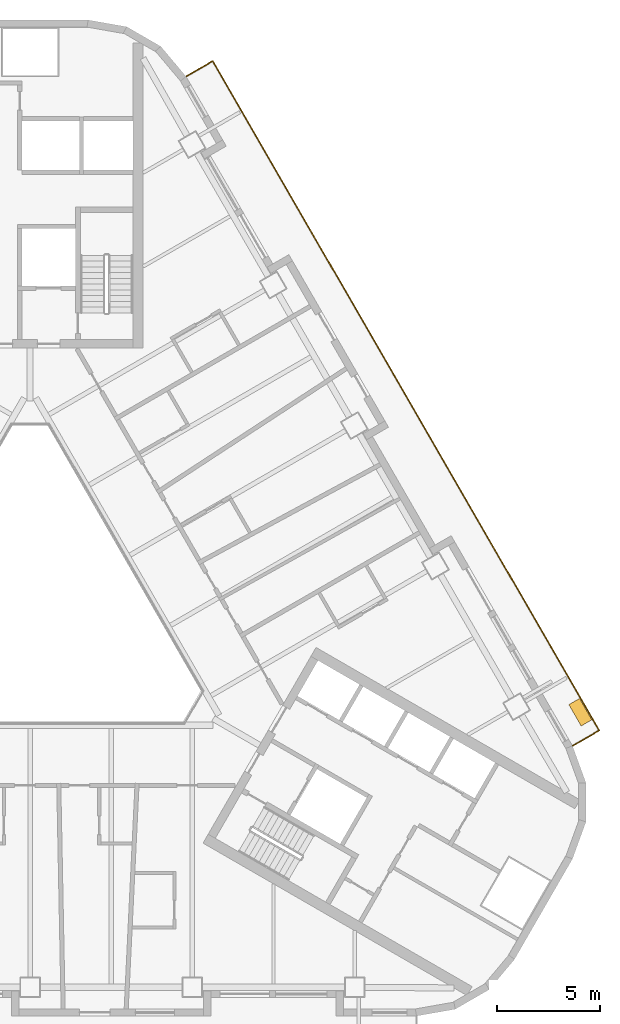
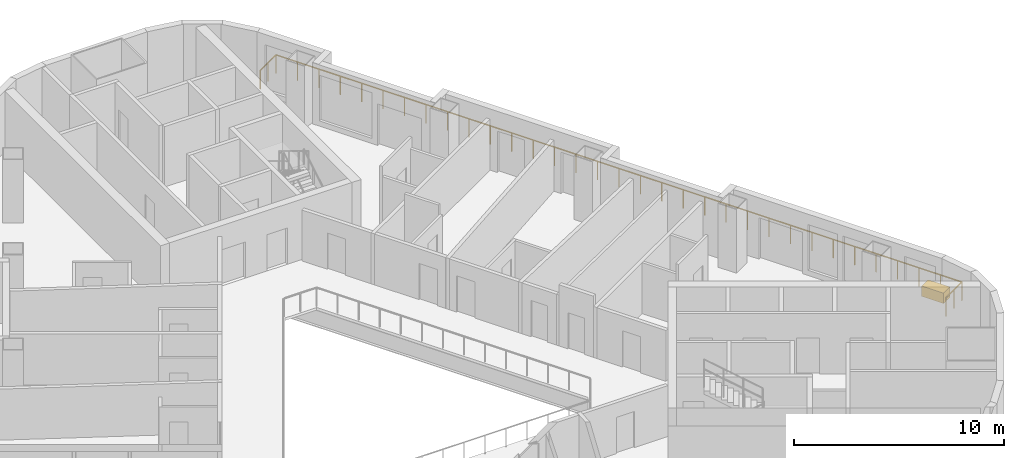
# One storey, part 13 of 14: 1 covering, 1 railing.
"""IFC4 building model written with IfcOpenShell, lengths in metres."""

from ifc_helpers import new_model, si_unit, direction, frame, origin, origin_2d, place, context, subcontext, project, spatial, rectangle, extrude, material, type_object, element, save


model = new_model("IFC4")

# Units and contexts
model_context = context("Model", 3, precision=1e-05, world=origin(), true_north=direction((0.0, 1.0)))
body_context = subcontext(model_context, "Body", "Model", "MODEL_VIEW")
ifc_project = project(units=[si_unit("LENGTHUNIT", "METRE"), si_unit("AREAUNIT", "SQUARE_METRE"), si_unit("VOLUMEUNIT", "CUBIC_METRE"), si_unit("PLANEANGLEUNIT", "RADIAN"), si_unit("MASSUNIT", "GRAM", prefix="KILO")], contexts=[model_context])

# Site, building, storey
site_placement = place(None, origin())
site = spatial("IfcSite", under=ifc_project, at=site_placement, CompositionType="ELEMENT")
building_placement = place(site_placement, origin())
building = spatial("IfcBuilding", under=site, at=building_placement, Name="Apuvela Tower Hotel", CompositionType="ELEMENT")
storey_placement = place(building_placement, frame((0.0, 0.0, 50.199951171875)))
storey = spatial("IfcBuildingStorey", under=building, at=storey_placement, Name="L09", CompositionType="ELEMENT", Elevation=50.199951171875)

# Railing
ifc_material_1 = material(Name="Stainless steel 316 rail with laminated glass infill", Category="steel")
railing_type = type_object("IfcRailingType", Name="ENV-GUARD-1100", PredefinedType="GUARDRAIL", material=ifc_material_1)
railing_placement = place(storey_placement, frame((26.407958984375, -6.47998046875, 0.0)))
element("IfcRailing", 1, at=railing_placement, inside=storey, type_object=railing_type, Name="Balcony guard NE L09", PredefinedType="GUARDRAIL", context=body_context, shape_type="SweptSolid", body=[
    extrude(rectangle(XDim=0.050048828125, YDim=0.050048828125, at=origin_2d()), frame((0.0, 0.0, 1.0751953125), z_axis=(0.866031096941, 0.499990139034, 0.0), x_axis=(-0.499990139034, 0.866031096941, 0.0)), (0.0, 0.0, 1.0), 1.5),
    extrude(rectangle(XDim=0.050048828125, YDim=0.050048828125, at=origin_2d()), frame((1.299072265625, 0.75, 1.0751953125), z_axis=(-0.500000437506, 0.86602515119, 0.0), x_axis=(-0.86602515119, -0.500000437506, 0.0)), (0.0, 0.0, 1.0), 37.6318359375),
    extrude(rectangle(XDim=0.050048828125, YDim=0.050048828125, at=origin_2d()), frame((-17.516845703125, 33.340087890625, 1.0751953125), z_axis=(-0.86599040064, -0.500060622324, 0.0), x_axis=(0.500060622324, -0.86599040064, 0.0)), (0.0, 0.0, 1.0), 1.499755859375),
    extrude(rectangle(XDim=0.0400390625, YDim=0.0400390625, at=origin_2d()), origin(), (0.0, 0.0, 1.0), 1.050048828125),
    extrude(rectangle(XDim=0.0400390625, YDim=0.0400390625, at=origin_2d()), frame((0.6494140625, 0.375, 0.0)), (0.0, 0.0, 1.0), 1.050048828125),
    extrude(rectangle(XDim=0.0400390625, YDim=0.0400390625, at=origin_2d()), frame((1.299072265625, 0.75, 0.0)), (0.0, 0.0, 1.0), 1.050048828125),
    extrude(rectangle(XDim=0.0400390625, YDim=0.0400390625, at=origin_2d()), frame((0.711181640625, 1.7685546875, 0.0)), (0.0, 0.0, 1.0), 1.050048828125),
    extrude(rectangle(XDim=0.0400390625, YDim=0.0400390625, at=origin_2d()), frame((0.123046875, 2.786865234375, 0.0)), (0.0, 0.0, 1.0), 1.050048828125),
    extrude(rectangle(XDim=0.0400390625, YDim=0.0400390625, at=origin_2d()), frame((-0.46484375, 3.805419921875, 0.0)), (0.0, 0.0, 1.0), 1.050048828125),
    extrude(rectangle(XDim=0.0400390625, YDim=0.0400390625, at=origin_2d()), frame((-1.052978515625, 4.82373046875, 0.0)), (0.0, 0.0, 1.0), 1.050048828125),
    extrude(rectangle(XDim=0.0400390625, YDim=0.0400390625, at=origin_2d()), frame((-1.640869140625, 5.84228515625, 0.0)), (0.0, 0.0, 1.0), 1.050048828125),
    extrude(rectangle(XDim=0.0400390625, YDim=0.0400390625, at=origin_2d()), frame((-2.22900390625, 6.860595703125, 0.0)), (0.0, 0.0, 1.0), 1.050048828125),
    extrude(rectangle(XDim=0.0400390625, YDim=0.0400390625, at=origin_2d()), frame((-2.81689453125, 7.879150390625, 0.0)), (0.0, 0.0, 1.0), 1.050048828125),
    extrude(rectangle(XDim=0.0400390625, YDim=0.0400390625, at=origin_2d()), frame((-3.40478515625, 8.8974609375, 0.0)), (0.0, 0.0, 1.0), 1.050048828125),
    extrude(rectangle(XDim=0.0400390625, YDim=0.0400390625, at=origin_2d()), frame((-3.992919921875, 9.916015625, 0.0)), (0.0, 0.0, 1.0), 1.050048828125),
    extrude(rectangle(XDim=0.0400390625, YDim=0.0400390625, at=origin_2d()), frame((-4.580810546875, 10.934326171875, 0.0)), (0.0, 0.0, 1.0), 1.050048828125),
    extrude(rectangle(XDim=0.0400390625, YDim=0.0400390625, at=origin_2d()), frame((-5.1689453125, 11.952880859375, 0.0)), (0.0, 0.0, 1.0), 1.050048828125),
    extrude(rectangle(XDim=0.0400390625, YDim=0.0400390625, at=origin_2d()), frame((-5.7568359375, 12.97119140625, 0.0)), (0.0, 0.0, 1.0), 1.050048828125),
    extrude(rectangle(XDim=0.0400390625, YDim=0.0400390625, at=origin_2d()), frame((-6.344970703125, 13.98974609375, 0.0)), (0.0, 0.0, 1.0), 1.050048828125),
    extrude(rectangle(XDim=0.0400390625, YDim=0.0400390625, at=origin_2d()), frame((-6.932861328125, 15.008056640625, 0.0)), (0.0, 0.0, 1.0), 1.050048828125),
    extrude(rectangle(XDim=0.0400390625, YDim=0.0400390625, at=origin_2d()), frame((-7.52099609375, 16.026611328125, 0.0)), (0.0, 0.0, 1.0), 1.050048828125),
    extrude(rectangle(XDim=0.0400390625, YDim=0.0400390625, at=origin_2d()), frame((-8.10888671875, 17.044921875, 0.0)), (0.0, 0.0, 1.0), 1.050048828125),
    extrude(rectangle(XDim=0.0400390625, YDim=0.0400390625, at=origin_2d()), frame((-8.69677734375, 18.0634765625, 0.0)), (0.0, 0.0, 1.0), 1.050048828125),
    extrude(rectangle(XDim=0.0400390625, YDim=0.0400390625, at=origin_2d()), frame((-9.284912109375, 19.08203125, 0.0)), (0.0, 0.0, 1.0), 1.050048828125),
    extrude(rectangle(XDim=0.0400390625, YDim=0.0400390625, at=origin_2d()), frame((-9.872802734375, 20.100341796875, 0.0)), (0.0, 0.0, 1.0), 1.050048828125),
    extrude(rectangle(XDim=0.0400390625, YDim=0.0400390625, at=origin_2d()), frame((-10.4609375, 21.118896484375, 0.0)), (0.0, 0.0, 1.0), 1.050048828125),
    extrude(rectangle(XDim=0.0400390625, YDim=0.0400390625, at=origin_2d()), frame((-11.048828125, 22.13720703125, 0.0)), (0.0, 0.0, 1.0), 1.050048828125),
    extrude(rectangle(XDim=0.0400390625, YDim=0.0400390625, at=origin_2d()), frame((-11.636962890625, 23.15576171875, 0.0)), (0.0, 0.0, 1.0), 1.050048828125),
    extrude(rectangle(XDim=0.0400390625, YDim=0.0400390625, at=origin_2d()), frame((-12.224853515625, 24.174072265625, 0.0)), (0.0, 0.0, 1.0), 1.050048828125),
    extrude(rectangle(XDim=0.0400390625, YDim=0.0400390625, at=origin_2d()), frame((-12.81298828125, 25.192626953125, 0.0)), (0.0, 0.0, 1.0), 1.050048828125),
    extrude(rectangle(XDim=0.0400390625, YDim=0.0400390625, at=origin_2d()), frame((-13.40087890625, 26.2109375, 0.0)), (0.0, 0.0, 1.0), 1.050048828125),
    extrude(rectangle(XDim=0.0400390625, YDim=0.0400390625, at=origin_2d()), frame((-13.98876953125, 27.2294921875, 0.0)), (0.0, 0.0, 1.0), 1.050048828125),
    extrude(rectangle(XDim=0.0400390625, YDim=0.0400390625, at=origin_2d()), frame((-14.576904296875, 28.247802734375, 0.0)), (0.0, 0.0, 1.0), 1.050048828125),
    extrude(rectangle(XDim=0.0400390625, YDim=0.0400390625, at=origin_2d()), frame((-15.164794921875, 29.266357421875, 0.0)), (0.0, 0.0, 1.0), 1.050048828125),
    extrude(rectangle(XDim=0.0400390625, YDim=0.0400390625, at=origin_2d()), frame((-15.7529296875, 30.28466796875, 0.0)), (0.0, 0.0, 1.0), 1.050048828125),
    extrude(rectangle(XDim=0.0400390625, YDim=0.0400390625, at=origin_2d()), frame((-16.3408203125, 31.30322265625, 0.0)), (0.0, 0.0, 1.0), 1.050048828125),
    extrude(rectangle(XDim=0.0400390625, YDim=0.0400390625, at=origin_2d()), frame((-16.928955078125, 32.321533203125, 0.0)), (0.0, 0.0, 1.0), 1.050048828125),
    extrude(rectangle(XDim=0.0400390625, YDim=0.0400390625, at=origin_2d()), frame((-17.516845703125, 33.340087890625, 0.0)), (0.0, 0.0, 1.0), 1.050048828125),
    extrude(rectangle(XDim=0.0400390625, YDim=0.0400390625, at=origin_2d()), frame((-18.166259765625, 32.965087890625, 0.0)), (0.0, 0.0, 1.0), 1.050048828125),
    extrude(rectangle(XDim=0.0400390625, YDim=0.0400390625, at=origin_2d()), frame((-18.815673828125, 32.590087890625, 0.0)), (0.0, 0.0, 1.0), 1.050048828125),
])

# Covering
ifc_material_2 = material(Name="Planting substrate and soil, planted")
covering_type = type_object("IfcCoveringType", Name="ENV-PLANTER-1200x600", PredefinedType="USERDEFINED", material=ifc_material_2)
covering_placement = place(storey_placement, frame((26.788818359375, -4.839599609375, 0.0), z_axis=(0.0, 0.0, 1.0), x_axis=(-0.5, 0.866025403784, 0.0)))
element("IfcCovering", 2, at=covering_placement, inside=storey, type_object=covering_type, Name="Planter NE2", ObjectType="PLANTER", PredefinedType="USERDEFINED", context=body_context, shape_type="SweptSolid", body=[
    extrude(rectangle(XDim=1.199951171875, YDim=0.60009765625, at=origin_2d()), origin(), (0.0, 0.0, 1.0), 0.60009765625),
])

save(model, "model.ifc")
